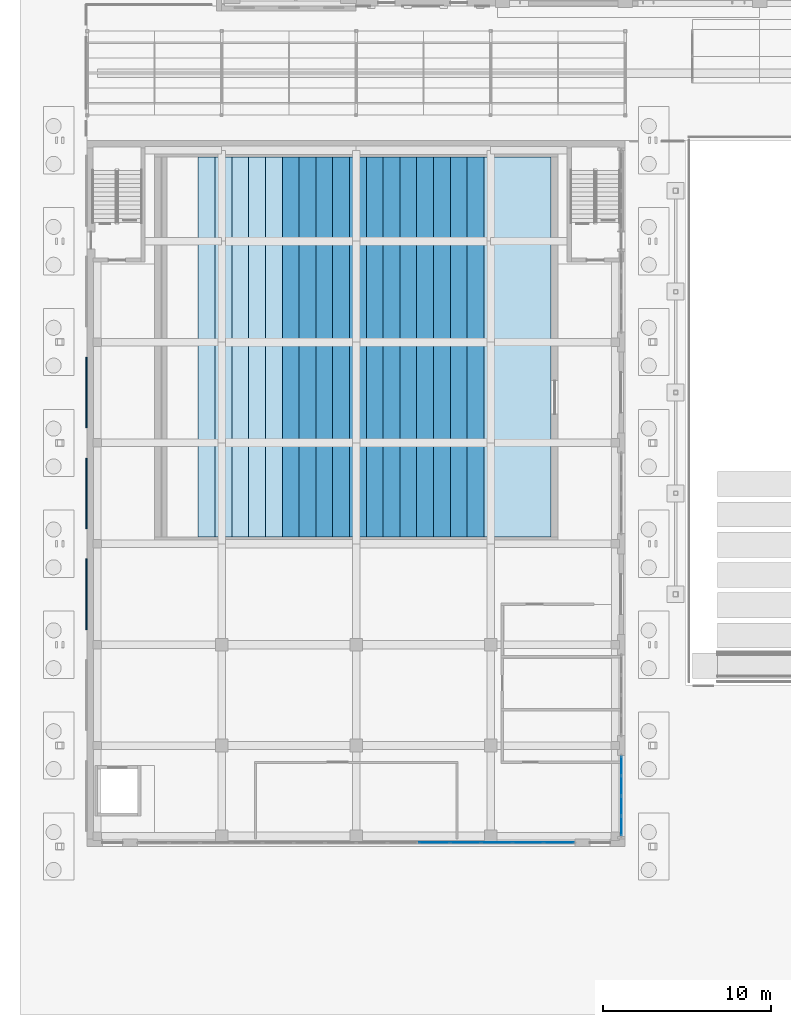
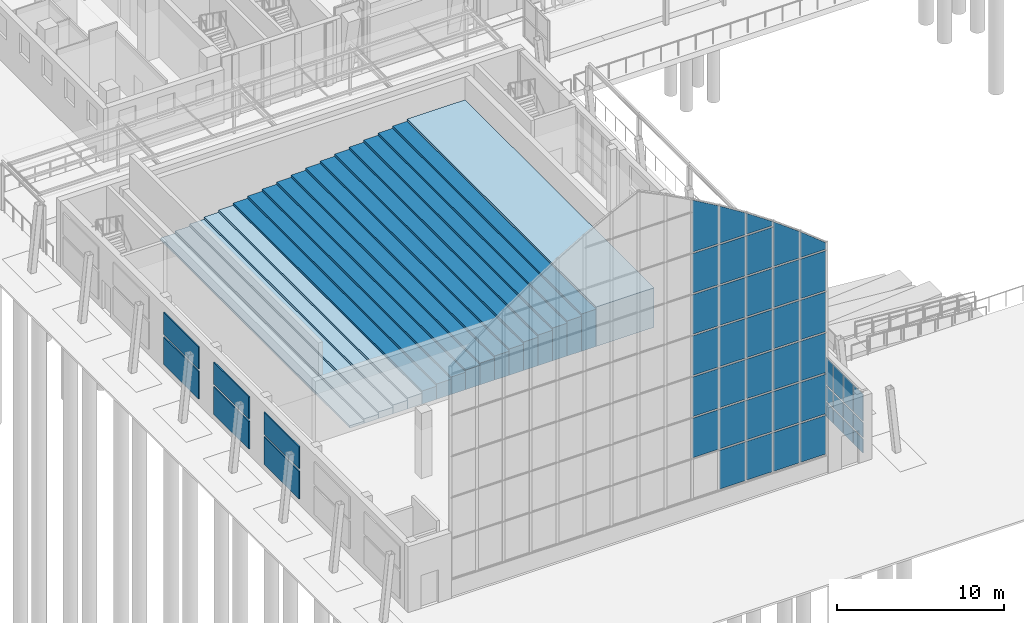
# One storey, part 86 of 144: 50 plates, 18 slabs, 2 elements without a shape of their own.
"""IFC4 building model written with IfcOpenShell, lengths in metres."""

from ifc_helpers import new_model, si_unit, direction, frame, origin, origin_2d, place, context, subcontext, project, spatial, polyline, rectangle, outline, extrude, material, layer, layer_set, type_object, element, aggregate, save


model = new_model("IFC4")

# Units and contexts
model_context = context("Model", 3, precision=1e-05, world=origin(), true_north=direction((0.0, 1.0)))
body_context = subcontext(model_context, "Body", "Model", "MODEL_VIEW")
ifc_project = project(units=[si_unit("LENGTHUNIT", "METRE"), si_unit("AREAUNIT", "SQUARE_METRE"), si_unit("VOLUMEUNIT", "CUBIC_METRE"), si_unit("PLANEANGLEUNIT", "RADIAN"), si_unit("MASSUNIT", "GRAM", prefix="KILO")], contexts=[model_context])

# Site, building, storey
site_placement = place(None, origin())
site = spatial("IfcSite", under=ifc_project, at=site_placement, CompositionType="ELEMENT")
building_placement = place(site_placement, origin())
building = spatial("IfcBuilding", under=site, at=building_placement, Name="Lantern Court Media Centre", CompositionType="ELEMENT")
storey_placement = place(building_placement, origin())
storey = spatial("IfcBuildingStorey", under=building, at=storey_placement, Name="L00", CompositionType="ELEMENT", Elevation=0.0)

# Curtain wall, plates
ifc_material_1 = material(Name="Aluminium and glass", Category="aluminium")
ifc_layer_1 = layer(ifc_material_1, 0.14990234375)
ifc_layer_set_1 = layer_set([ifc_layer_1], Name="Aluminium and glass")
curtain_wall_type = type_object("IfcCurtainWallType", Name="Hall lancet glazing", PredefinedType="NOTDEFINED", material=ifc_layer_set_1)
curtain_wall_1_placement = place(storey_placement, origin())
curtain_wall_1 = element("IfcCurtainWall", 1, at=curtain_wall_1_placement, inside=storey, type_object=curtain_wall_type, Name="Cinema Hall foyer glazing 1", PredefinedType="NOTDEFINED")
ifc_material_2 = material(Name="Laminated glass 6+6", Category="glass")
ifc_layer_2 = layer(ifc_material_2, 0.028076171875)
ifc_layer_set_2 = layer_set([ifc_layer_2], Name="Laminated glass 6+6")
plate_type_1 = type_object("IfcPlateType", Name="HP", PredefinedType="CURTAIN_PANEL", material=ifc_layer_set_2)
plate_1_placement = place(storey_placement, frame((31.77490234375, -0.784912109375, 0.119873046875), z_axis=(0.0, 0.0, 1.0), x_axis=(0.0, 1.0, 0.0)))
plate_1 = element("IfcPlate", 2, at=plate_1_placement, type_object=plate_type_1, Name="HCW-V11 panel 1.1", PredefinedType="CURTAIN_PANEL", context=body_context, shape_type="SweptSolid", body=[
    extrude(rectangle(XDim=1.110107421875, YDim=0.028076171875, at=origin_2d()), origin(), (0.0, 0.0, 1.0), 1.02001953125),
])
plate_2_placement = place(storey_placement, frame((31.77490234375, -0.784912109375, 1.260009765625), z_axis=(0.0, 0.0, 1.0), x_axis=(0.0, 1.0, 0.0)))
plate_2 = element("IfcPlate", 3, at=plate_2_placement, type_object=plate_type_1, Name="HCW-V11 panel 1.2", PredefinedType="CURTAIN_PANEL", context=body_context, shape_type="SweptSolid", body=[
    extrude(rectangle(XDim=1.110107421875, YDim=0.028076171875, at=origin_2d()), origin(), (0.0, 0.0, 1.0), 1.080078125),
])
plate_3_placement = place(storey_placement, frame((31.77490234375, -0.784912109375, 2.4599609375), z_axis=(0.0, 0.0, 1.0), x_axis=(0.0, 1.0, 0.0)))
plate_3 = element("IfcPlate", 4, at=plate_3_placement, type_object=plate_type_1, Name="HCW-V11 panel 1.3", PredefinedType="CURTAIN_PANEL", context=body_context, shape_type="SweptSolid", body=[
    extrude(rectangle(XDim=1.110107421875, YDim=0.028076171875, at=origin_2d()), origin(), (0.0, 0.0, 1.0), 1.969970703125),
])
plate_4_placement = place(storey_placement, frame((31.77490234375, 0.39990234375, 0.119873046875), z_axis=(0.0, 0.0, 1.0), x_axis=(0.0, 1.0, 0.0)))
plate_4 = element("IfcPlate", 5, at=plate_4_placement, type_object=plate_type_1, Name="HCW-V11 panel 2.1", PredefinedType="CURTAIN_PANEL", context=body_context, shape_type="SweptSolid", body=[
    extrude(rectangle(XDim=1.139892578125, YDim=0.028076171875, at=origin_2d()), origin(), (0.0, 0.0, 1.0), 1.02001953125),
])
plate_5_placement = place(storey_placement, frame((31.77490234375, 0.39990234375, 1.260009765625), z_axis=(0.0, 0.0, 1.0), x_axis=(0.0, 1.0, 0.0)))
plate_5 = element("IfcPlate", 6, at=plate_5_placement, type_object=plate_type_1, Name="HCW-V11 panel 2.2", PredefinedType="CURTAIN_PANEL", context=body_context, shape_type="SweptSolid", body=[
    extrude(rectangle(XDim=1.139892578125, YDim=0.028076171875, at=origin_2d()), origin(), (0.0, 0.0, 1.0), 1.080078125),
])
plate_6_placement = place(storey_placement, frame((31.77490234375, 0.39990234375, 2.4599609375), z_axis=(0.0, 0.0, 1.0), x_axis=(0.0, 1.0, 0.0)))
plate_6 = element("IfcPlate", 7, at=plate_6_placement, type_object=plate_type_1, Name="HCW-V11 panel 2.3", PredefinedType="CURTAIN_PANEL", context=body_context, shape_type="SweptSolid", body=[
    extrude(rectangle(XDim=1.139892578125, YDim=0.028076171875, at=origin_2d()), origin(), (0.0, 0.0, 1.0), 1.969970703125),
])
plate_7_placement = place(storey_placement, frame((31.77490234375, 1.60009765625, 0.119873046875), z_axis=(0.0, 0.0, 1.0), x_axis=(0.0, 1.0, 0.0)))
plate_7 = element("IfcPlate", 8, at=plate_7_placement, type_object=plate_type_1, Name="HCW-V11 panel 3.1", PredefinedType="CURTAIN_PANEL", context=body_context, shape_type="SweptSolid", body=[
    extrude(rectangle(XDim=1.139892578125, YDim=0.028076171875, at=origin_2d()), origin(), (0.0, 0.0, 1.0), 1.02001953125),
])
plate_8_placement = place(storey_placement, frame((31.77490234375, 1.60009765625, 1.260009765625), z_axis=(0.0, 0.0, 1.0), x_axis=(0.0, 1.0, 0.0)))
plate_8 = element("IfcPlate", 9, at=plate_8_placement, type_object=plate_type_1, Name="HCW-V11 panel 3.2", PredefinedType="CURTAIN_PANEL", context=body_context, shape_type="SweptSolid", body=[
    extrude(rectangle(XDim=1.139892578125, YDim=0.028076171875, at=origin_2d()), origin(), (0.0, 0.0, 1.0), 1.080078125),
])
plate_9_placement = place(storey_placement, frame((31.77490234375, 1.60009765625, 2.4599609375), z_axis=(0.0, 0.0, 1.0), x_axis=(0.0, 1.0, 0.0)))
plate_9 = element("IfcPlate", 10, at=plate_9_placement, type_object=plate_type_1, Name="HCW-V11 panel 3.3", PredefinedType="CURTAIN_PANEL", context=body_context, shape_type="SweptSolid", body=[
    extrude(rectangle(XDim=1.139892578125, YDim=0.028076171875, at=origin_2d()), origin(), (0.0, 0.0, 1.0), 1.969970703125),
])
plate_10_placement = place(storey_placement, frame((31.77490234375, 2.784912109375, 0.119873046875), z_axis=(0.0, 0.0, 1.0), x_axis=(0.0, 1.0, 0.0)))
plate_10 = element("IfcPlate", 11, at=plate_10_placement, type_object=plate_type_1, Name="HCW-V11 panel 4.1", PredefinedType="CURTAIN_PANEL", context=body_context, shape_type="SweptSolid", body=[
    extrude(rectangle(XDim=1.110107421875, YDim=0.028076171875, at=origin_2d()), origin(), (0.0, 0.0, 1.0), 1.02001953125),
])
plate_11_placement = place(storey_placement, frame((31.77490234375, 2.784912109375, 1.260009765625), z_axis=(0.0, 0.0, 1.0), x_axis=(0.0, 1.0, 0.0)))
plate_11 = element("IfcPlate", 12, at=plate_11_placement, type_object=plate_type_1, Name="HCW-V11 panel 4.2", PredefinedType="CURTAIN_PANEL", context=body_context, shape_type="SweptSolid", body=[
    extrude(rectangle(XDim=1.110107421875, YDim=0.028076171875, at=origin_2d()), origin(), (0.0, 0.0, 1.0), 1.080078125),
])
plate_12_placement = place(storey_placement, frame((31.77490234375, 2.784912109375, 2.4599609375), z_axis=(0.0, 0.0, 1.0), x_axis=(0.0, 1.0, 0.0)))
plate_12 = element("IfcPlate", 13, at=plate_12_placement, type_object=plate_type_1, Name="HCW-V11 panel 4.3", PredefinedType="CURTAIN_PANEL", context=body_context, shape_type="SweptSolid", body=[
    extrude(rectangle(XDim=1.110107421875, YDim=0.028076171875, at=origin_2d()), origin(), (0.0, 0.0, 1.0), 1.969970703125),
])
aggregate(curtain_wall_1, [plate_1, plate_2, plate_3, plate_4, plate_5, plate_6, plate_7, plate_8, plate_9, plate_10, plate_11, plate_12])

curtain_wall_2_placement = place(storey_placement, origin())
curtain_wall_2 = element("IfcCurtainWall", 14, at=curtain_wall_2_placement, inside=storey, type_object=curtain_wall_type, Name="Cinema Hall HCW-V10 glazing", PredefinedType="NOTDEFINED")
plate_13_placement = place(storey_placement, frame((20.642822265625, -1.77490234375, 4.260009765625), z_axis=(0.0, 0.0, 1.0), x_axis=(1.0, 0.0, 0.0)))
plate_13 = element("IfcPlate", 15, at=plate_13_placement, type_object=plate_type_1, Name="HCW-V10 panel 10.2", PredefinedType="CURTAIN_PANEL", context=body_context, shape_type="SweptSolid", body=[
    extrude(rectangle(XDim=1.797119140625, YDim=0.028076171875, at=origin_2d()), origin(), (0.0, 0.0, 1.0), 2.8798828125),
])
plate_14_placement = place(storey_placement, frame((20.642822265625, -1.77490234375, 7.260009765625), z_axis=(0.0, 0.0, 1.0), x_axis=(1.0, 0.0, 0.0)))
plate_14 = element("IfcPlate", 16, at=plate_14_placement, type_object=plate_type_1, Name="HCW-V10 panel 10.3", PredefinedType="CURTAIN_PANEL", context=body_context, shape_type="SweptSolid", body=[
    extrude(rectangle(XDim=1.797119140625, YDim=0.028076171875, at=origin_2d()), origin(), (0.0, 0.0, 1.0), 2.8798828125),
])
plate_15_placement = place(storey_placement, frame((20.642822265625, -1.77490234375, 10.260009765625), z_axis=(0.0, 0.0, 1.0), x_axis=(1.0, 0.0, 0.0)))
plate_15 = element("IfcPlate", 17, at=plate_15_placement, type_object=plate_type_1, Name="HCW-V10 panel 10.4", PredefinedType="CURTAIN_PANEL", context=body_context, shape_type="SweptSolid", body=[
    extrude(rectangle(XDim=1.797119140625, YDim=0.028076171875, at=origin_2d()), origin(), (0.0, 0.0, 1.0), 2.8798828125),
])
plate_16_placement = place(storey_placement, frame((20.642822265625, -1.77490234375, 13.260009765625), z_axis=(0.0, 0.0, 1.0), x_axis=(1.0, 0.0, 0.0)))
plate_16 = element("IfcPlate", 18, at=plate_16_placement, type_object=plate_type_1, Name="HCW-V10 panel 10.5", PredefinedType="CURTAIN_PANEL", context=body_context, shape_type="SweptSolid", body=[
    extrude(rectangle(XDim=1.797119140625, YDim=0.028076171875, at=origin_2d()), origin(), (0.0, 0.0, 1.0), 2.8798828125),
])
plate_17_placement = place(storey_placement, frame((20.642822265625, -1.77490234375, 16.260009765625), z_axis=(0.0, 0.0, 1.0), x_axis=(1.0, 0.0, 0.0)))
plate_17 = element("IfcPlate", 19, at=plate_17_placement, type_object=plate_type_1, Name="HCW-V10 panel 10.6", PredefinedType="CURTAIN_PANEL", context=body_context, shape_type="SweptSolid", body=[
    extrude(rectangle(XDim=1.797119140625, YDim=0.028076171875, at=origin_2d()), origin(), (0.0, 0.0, 1.0), 2.8798828125),
])
plate_18_placement = place(storey_placement, frame((19.744384765625, -1.7890625, 19.260009765625), z_axis=(0.0, -1.0, 0.0), x_axis=(1.0, 0.0, 0.0)))
plate_18 = element("IfcPlate", 20, at=plate_18_placement, type_object=plate_type_1, Name="HCW-V10 head panel", PredefinedType="CURTAIN_PANEL", context=body_context, shape_type="SweptSolid", body=[
    extrude(outline(polyline([(0.0, 0.0), (1.797119140625, 0.0), (1.797119140625, 2.74853515625), (0.0, 3.795166015625), (0.0, 0.0)])), origin(), (0.0, 0.0, -1.0), 0.028076171875),
])
plate_19_placement = place(storey_placement, frame((22.5, -1.77490234375, 1.31982421875), z_axis=(0.0, 0.0, 1.0), x_axis=(1.0, 0.0, 0.0)))
plate_19 = element("IfcPlate", 21, at=plate_19_placement, type_object=plate_type_1, Name="HCW-V10 panel 11.1", PredefinedType="CURTAIN_PANEL", context=body_context, shape_type="SweptSolid", body=[
    extrude(rectangle(XDim=1.797119140625, YDim=0.028076171875, at=origin_2d()), origin(), (0.0, 0.0, 1.0), 2.820068359375),
])
plate_20_placement = place(storey_placement, frame((22.5, -1.77490234375, 4.260009765625), z_axis=(0.0, 0.0, 1.0), x_axis=(1.0, 0.0, 0.0)))
plate_20 = element("IfcPlate", 22, at=plate_20_placement, type_object=plate_type_1, Name="HCW-V10 panel 11.2", PredefinedType="CURTAIN_PANEL", context=body_context, shape_type="SweptSolid", body=[
    extrude(rectangle(XDim=1.797119140625, YDim=0.028076171875, at=origin_2d()), origin(), (0.0, 0.0, 1.0), 2.8798828125),
])
plate_21_placement = place(storey_placement, frame((22.5, -1.77490234375, 7.260009765625), z_axis=(0.0, 0.0, 1.0), x_axis=(1.0, 0.0, 0.0)))
plate_21 = element("IfcPlate", 23, at=plate_21_placement, type_object=plate_type_1, Name="HCW-V10 panel 11.3", PredefinedType="CURTAIN_PANEL", context=body_context, shape_type="SweptSolid", body=[
    extrude(rectangle(XDim=1.797119140625, YDim=0.028076171875, at=origin_2d()), origin(), (0.0, 0.0, 1.0), 2.8798828125),
])
plate_22_placement = place(storey_placement, frame((22.5, -1.77490234375, 10.260009765625), z_axis=(0.0, 0.0, 1.0), x_axis=(1.0, 0.0, 0.0)))
plate_22 = element("IfcPlate", 24, at=plate_22_placement, type_object=plate_type_1, Name="HCW-V10 panel 11.4", PredefinedType="CURTAIN_PANEL", context=body_context, shape_type="SweptSolid", body=[
    extrude(rectangle(XDim=1.797119140625, YDim=0.028076171875, at=origin_2d()), origin(), (0.0, 0.0, 1.0), 2.8798828125),
])
plate_23_placement = place(storey_placement, frame((22.5, -1.77490234375, 13.260009765625), z_axis=(0.0, 0.0, 1.0), x_axis=(1.0, 0.0, 0.0)))
plate_23 = element("IfcPlate", 25, at=plate_23_placement, type_object=plate_type_1, Name="HCW-V10 panel 11.5", PredefinedType="CURTAIN_PANEL", context=body_context, shape_type="SweptSolid", body=[
    extrude(rectangle(XDim=1.797119140625, YDim=0.028076171875, at=origin_2d()), origin(), (0.0, 0.0, 1.0), 2.8798828125),
])
plate_24_placement = place(storey_placement, frame((22.5, -1.77490234375, 16.260009765625), z_axis=(0.0, 0.0, 1.0), x_axis=(1.0, 0.0, 0.0)))
plate_24 = element("IfcPlate", 26, at=plate_24_placement, type_object=plate_type_1, Name="HCW-V10 panel 11.6", PredefinedType="CURTAIN_PANEL", context=body_context, shape_type="SweptSolid", body=[
    extrude(rectangle(XDim=1.797119140625, YDim=0.028076171875, at=origin_2d()), origin(), (0.0, 0.0, 1.0), 2.8798828125),
])
plate_25_placement = place(storey_placement, frame((21.601318359375, -1.7890625, 19.260009765625), z_axis=(0.0, -1.0, 0.0), x_axis=(1.0, 0.0, 0.0)))
plate_25 = element("IfcPlate", 27, at=plate_25_placement, type_object=plate_type_1, Name="HCW-V10 head panel", PredefinedType="CURTAIN_PANEL", context=body_context, shape_type="SweptSolid", body=[
    extrude(outline(polyline([(0.0, 0.0), (1.79736328125, 0.0), (1.79736328125, 1.57666015625), (0.0, 2.712158203125), (0.0, 0.0)])), origin(), (0.0, 0.0, -1.0), 0.028076171875),
])
plate_26_placement = place(storey_placement, frame((24.357177734375, -1.77490234375, 1.31982421875), z_axis=(0.0, 0.0, 1.0), x_axis=(1.0, 0.0, 0.0)))
plate_26 = element("IfcPlate", 28, at=plate_26_placement, type_object=plate_type_1, Name="HCW-V10 panel 12.1", PredefinedType="CURTAIN_PANEL", context=body_context, shape_type="SweptSolid", body=[
    extrude(rectangle(XDim=1.797119140625, YDim=0.028076171875, at=origin_2d()), origin(), (0.0, 0.0, 1.0), 2.820068359375),
])
plate_27_placement = place(storey_placement, frame((24.357177734375, -1.77490234375, 4.260009765625), z_axis=(0.0, 0.0, 1.0), x_axis=(1.0, 0.0, 0.0)))
plate_27 = element("IfcPlate", 29, at=plate_27_placement, type_object=plate_type_1, Name="HCW-V10 panel 12.2", PredefinedType="CURTAIN_PANEL", context=body_context, shape_type="SweptSolid", body=[
    extrude(rectangle(XDim=1.797119140625, YDim=0.028076171875, at=origin_2d()), origin(), (0.0, 0.0, 1.0), 2.8798828125),
])
plate_28_placement = place(storey_placement, frame((24.357177734375, -1.77490234375, 7.260009765625), z_axis=(0.0, 0.0, 1.0), x_axis=(1.0, 0.0, 0.0)))
plate_28 = element("IfcPlate", 30, at=plate_28_placement, type_object=plate_type_1, Name="HCW-V10 panel 12.3", PredefinedType="CURTAIN_PANEL", context=body_context, shape_type="SweptSolid", body=[
    extrude(rectangle(XDim=1.797119140625, YDim=0.028076171875, at=origin_2d()), origin(), (0.0, 0.0, 1.0), 2.8798828125),
])
plate_29_placement = place(storey_placement, frame((24.357177734375, -1.77490234375, 10.260009765625), z_axis=(0.0, 0.0, 1.0), x_axis=(1.0, 0.0, 0.0)))
plate_29 = element("IfcPlate", 31, at=plate_29_placement, type_object=plate_type_1, Name="HCW-V10 panel 12.4", PredefinedType="CURTAIN_PANEL", context=body_context, shape_type="SweptSolid", body=[
    extrude(rectangle(XDim=1.797119140625, YDim=0.028076171875, at=origin_2d()), origin(), (0.0, 0.0, 1.0), 2.8798828125),
])
plate_30_placement = place(storey_placement, frame((24.357177734375, -1.77490234375, 13.260009765625), z_axis=(0.0, 0.0, 1.0), x_axis=(1.0, 0.0, 0.0)))
plate_30 = element("IfcPlate", 32, at=plate_30_placement, type_object=plate_type_1, Name="HCW-V10 panel 12.5", PredefinedType="CURTAIN_PANEL", context=body_context, shape_type="SweptSolid", body=[
    extrude(rectangle(XDim=1.797119140625, YDim=0.028076171875, at=origin_2d()), origin(), (0.0, 0.0, 1.0), 2.8798828125),
])
plate_31_placement = place(storey_placement, frame((24.357177734375, -1.77490234375, 16.260009765625), z_axis=(0.0, 0.0, 1.0), x_axis=(1.0, 0.0, 0.0)))
plate_31 = element("IfcPlate", 33, at=plate_31_placement, type_object=plate_type_1, Name="HCW-V10 panel 12.6", PredefinedType="CURTAIN_PANEL", context=body_context, shape_type="SweptSolid", body=[
    extrude(rectangle(XDim=1.797119140625, YDim=0.028076171875, at=origin_2d()), origin(), (0.0, 0.0, 1.0), 2.8798828125),
])
plate_32_placement = place(storey_placement, frame((23.45849609375, -1.7890625, 19.260009765625), z_axis=(0.0, -1.0, 0.0), x_axis=(1.0, 0.0, 0.0)))
plate_32 = element("IfcPlate", 34, at=plate_32_placement, type_object=plate_type_1, Name="HCW-V10 head panel", PredefinedType="CURTAIN_PANEL", context=body_context, shape_type="SweptSolid", body=[
    extrude(outline(polyline([(0.0, 0.0), (1.797119140625, 0.0), (1.797119140625, 0.306396484375), (0.0, 1.537353515625), (0.0, 0.0)])), origin(), (0.0, 0.0, -1.0), 0.028076171875),
])
plate_33_placement = place(storey_placement, frame((26.21435546875, -1.77490234375, 1.31982421875), z_axis=(0.0, 0.0, 1.0), x_axis=(1.0, 0.0, 0.0)))
plate_33 = element("IfcPlate", 35, at=plate_33_placement, type_object=plate_type_1, Name="HCW-V10 panel 13.1", PredefinedType="CURTAIN_PANEL", context=body_context, shape_type="SweptSolid", body=[
    extrude(rectangle(XDim=1.797119140625, YDim=0.028076171875, at=origin_2d()), origin(), (0.0, 0.0, 1.0), 2.820068359375),
])
plate_34_placement = place(storey_placement, frame((26.21435546875, -1.77490234375, 4.260009765625), z_axis=(0.0, 0.0, 1.0), x_axis=(1.0, 0.0, 0.0)))
plate_34 = element("IfcPlate", 36, at=plate_34_placement, type_object=plate_type_1, Name="HCW-V10 panel 13.2", PredefinedType="CURTAIN_PANEL", context=body_context, shape_type="SweptSolid", body=[
    extrude(rectangle(XDim=1.797119140625, YDim=0.028076171875, at=origin_2d()), origin(), (0.0, 0.0, 1.0), 2.8798828125),
])
plate_35_placement = place(storey_placement, frame((26.21435546875, -1.77490234375, 7.260009765625), z_axis=(0.0, 0.0, 1.0), x_axis=(1.0, 0.0, 0.0)))
plate_35 = element("IfcPlate", 37, at=plate_35_placement, type_object=plate_type_1, Name="HCW-V10 panel 13.3", PredefinedType="CURTAIN_PANEL", context=body_context, shape_type="SweptSolid", body=[
    extrude(rectangle(XDim=1.797119140625, YDim=0.028076171875, at=origin_2d()), origin(), (0.0, 0.0, 1.0), 2.8798828125),
])
plate_36_placement = place(storey_placement, frame((26.21435546875, -1.77490234375, 10.260009765625), z_axis=(0.0, 0.0, 1.0), x_axis=(1.0, 0.0, 0.0)))
plate_36 = element("IfcPlate", 38, at=plate_36_placement, type_object=plate_type_1, Name="HCW-V10 panel 13.4", PredefinedType="CURTAIN_PANEL", context=body_context, shape_type="SweptSolid", body=[
    extrude(rectangle(XDim=1.797119140625, YDim=0.028076171875, at=origin_2d()), origin(), (0.0, 0.0, 1.0), 2.8798828125),
])
plate_37_placement = place(storey_placement, frame((26.21435546875, -1.77490234375, 13.260009765625), z_axis=(0.0, 0.0, 1.0), x_axis=(1.0, 0.0, 0.0)))
plate_37 = element("IfcPlate", 39, at=plate_37_placement, type_object=plate_type_1, Name="HCW-V10 panel 13.5", PredefinedType="CURTAIN_PANEL", context=body_context, shape_type="SweptSolid", body=[
    extrude(rectangle(XDim=1.797119140625, YDim=0.028076171875, at=origin_2d()), origin(), (0.0, 0.0, 1.0), 2.8798828125),
])
plate_38_placement = place(storey_placement, frame((25.315673828125, -1.7890625, 16.260009765625), z_axis=(0.0, -1.0, 0.0), x_axis=(1.0, 0.0, 0.0)))
plate_38 = element("IfcPlate", 40, at=plate_38_placement, type_object=plate_type_1, Name="HCW-V10 head panel", PredefinedType="CURTAIN_PANEL", context=body_context, shape_type="SweptSolid", body=[
    extrude(outline(polyline([(0.0, 0.0), (1.797119140625, 0.0), (1.797119140625, 1.929443359375), (0.0, 3.263427734375), (0.0, 0.0)])), origin(), (0.0, 0.0, -1.0), 0.028076171875),
])
plate_39_placement = place(storey_placement, frame((28.056396484375, -1.77490234375, 1.31982421875), z_axis=(0.0, 0.0, 1.0), x_axis=(1.0, 0.0, 0.0)))
plate_39 = element("IfcPlate", 41, at=plate_39_placement, type_object=plate_type_1, Name="HCW-V10 panel 14.1", PredefinedType="CURTAIN_PANEL", context=body_context, shape_type="SweptSolid", body=[
    extrude(rectangle(XDim=1.76708984375, YDim=0.028076171875, at=origin_2d()), origin(), (0.0, 0.0, 1.0), 2.820068359375),
])
plate_40_placement = place(storey_placement, frame((28.056396484375, -1.77490234375, 4.260009765625), z_axis=(0.0, 0.0, 1.0), x_axis=(1.0, 0.0, 0.0)))
plate_40 = element("IfcPlate", 42, at=plate_40_placement, type_object=plate_type_1, Name="HCW-V10 panel 14.2", PredefinedType="CURTAIN_PANEL", context=body_context, shape_type="SweptSolid", body=[
    extrude(rectangle(XDim=1.76708984375, YDim=0.028076171875, at=origin_2d()), origin(), (0.0, 0.0, 1.0), 2.8798828125),
])
plate_41_placement = place(storey_placement, frame((28.056396484375, -1.77490234375, 7.260009765625), z_axis=(0.0, 0.0, 1.0), x_axis=(1.0, 0.0, 0.0)))
plate_41 = element("IfcPlate", 43, at=plate_41_placement, type_object=plate_type_1, Name="HCW-V10 panel 14.3", PredefinedType="CURTAIN_PANEL", context=body_context, shape_type="SweptSolid", body=[
    extrude(rectangle(XDim=1.76708984375, YDim=0.028076171875, at=origin_2d()), origin(), (0.0, 0.0, 1.0), 2.8798828125),
])
plate_42_placement = place(storey_placement, frame((28.056396484375, -1.77490234375, 10.260009765625), z_axis=(0.0, 0.0, 1.0), x_axis=(1.0, 0.0, 0.0)))
plate_42 = element("IfcPlate", 44, at=plate_42_placement, type_object=plate_type_1, Name="HCW-V10 panel 14.4", PredefinedType="CURTAIN_PANEL", context=body_context, shape_type="SweptSolid", body=[
    extrude(rectangle(XDim=1.76708984375, YDim=0.028076171875, at=origin_2d()), origin(), (0.0, 0.0, 1.0), 2.8798828125),
])
plate_43_placement = place(storey_placement, frame((28.056396484375, -1.77490234375, 13.260009765625), z_axis=(0.0, 0.0, 1.0), x_axis=(1.0, 0.0, 0.0)))
plate_43 = element("IfcPlate", 45, at=plate_43_placement, type_object=plate_type_1, Name="HCW-V10 panel 14.5", PredefinedType="CURTAIN_PANEL", context=body_context, shape_type="SweptSolid", body=[
    extrude(rectangle(XDim=1.76708984375, YDim=0.028076171875, at=origin_2d()), origin(), (0.0, 0.0, 1.0), 2.8798828125),
])
plate_44_placement = place(storey_placement, frame((27.1728515625, -1.7890625, 16.260009765625), z_axis=(0.0, -1.0, 0.0), x_axis=(1.0, 0.0, 0.0)))
plate_44 = element("IfcPlate", 46, at=plate_44_placement, type_object=plate_type_1, Name="HCW-V10 head panel", PredefinedType="CURTAIN_PANEL", context=body_context, shape_type="SweptSolid", body=[
    extrude(outline(polyline([(0.0, 0.0), (1.76708984375, 0.0), (1.76708984375, 0.46142578125), (0.0, 1.883056640625), (0.0, 0.0)])), origin(), (0.0, 0.0, -1.0), 0.028076171875),
])
aggregate(curtain_wall_2, [plate_13, plate_14, plate_15, plate_16, plate_17, plate_18, plate_19, plate_20, plate_21, plate_22, plate_23, plate_24, plate_25, plate_26, plate_27, plate_28, plate_29, plate_30, plate_31, plate_32, plate_33, plate_34, plate_35, plate_36, plate_37, plate_38, plate_39, plate_40, plate_41, plate_42, plate_43, plate_44])

# Slabs
ifc_material_3 = material(Name="Concrete C35", Category="concrete")
ifc_layer_3 = layer(ifc_material_3, 0.14990234375)
ifc_layer_set_3 = layer_set([ifc_layer_3], Name="Concrete C35")
slab_type = type_object("IfcSlabType", Name="Seating tier", PredefinedType="USERDEFINED", material=ifc_layer_set_3)
slab_1_placement = place(storey_placement, origin())
element("IfcSlab", 47, at=slab_1_placement, inside=storey, type_object=slab_type, Name="Screen 1 Cinema tier 1", ObjectType="SEATING TIER", PredefinedType="USERDEFINED", context=body_context, shape_type="SweptSolid", body=[
    extrude(outline(polyline([(6.60009765625, 16.39990234375), (7.60009765625, 16.39990234375), (7.60009765625, 39.0), (6.60009765625, 39.0), (6.60009765625, 16.39990234375)])), origin(), (0.0, 0.0, 1.0), 0.159912109375),
])
slab_2_placement = place(storey_placement, origin())
element("IfcSlab", 48, at=slab_2_placement, inside=storey, type_object=slab_type, Name="Screen 1 Cinema tier 2", ObjectType="SEATING TIER", PredefinedType="USERDEFINED", context=body_context, shape_type="SweptSolid", body=[
    extrude(outline(polyline([(7.60009765625, 16.39990234375), (8.60009765625, 16.39990234375), (8.60009765625, 39.0), (7.60009765625, 39.0), (7.60009765625, 16.39990234375)])), origin(), (0.0, 0.0, 1.0), 0.320068359375),
])
slab_3_placement = place(storey_placement, origin())
element("IfcSlab", 49, at=slab_3_placement, inside=storey, type_object=slab_type, Name="Screen 1 Cinema tier 3", ObjectType="SEATING TIER", PredefinedType="USERDEFINED", context=body_context, shape_type="SweptSolid", body=[
    extrude(outline(polyline([(8.60009765625, 16.39990234375), (9.60009765625, 16.39990234375), (9.60009765625, 39.0), (8.60009765625, 39.0), (8.60009765625, 16.39990234375)])), origin(), (0.0, 0.0, 1.0), 0.47998046875),
])
slab_4_placement = place(storey_placement, origin())
element("IfcSlab", 50, at=slab_4_placement, inside=storey, type_object=slab_type, Name="Screen 1 Cinema tier 4", ObjectType="SEATING TIER", PredefinedType="USERDEFINED", context=body_context, shape_type="SweptSolid", body=[
    extrude(outline(polyline([(9.60009765625, 16.39990234375), (10.60009765625, 16.39990234375), (10.60009765625, 39.0), (9.60009765625, 39.0), (9.60009765625, 16.39990234375)])), origin(), (0.0, 0.0, 1.0), 0.639892578125),
])
slab_5_placement = place(storey_placement, origin())
element("IfcSlab", 51, at=slab_5_placement, inside=storey, type_object=slab_type, Name="Screen 1 Cinema tier 5", ObjectType="SEATING TIER", PredefinedType="USERDEFINED", context=body_context, shape_type="SweptSolid", body=[
    extrude(outline(polyline([(10.60009765625, 16.39990234375), (11.60009765625, 16.39990234375), (11.60009765625, 39.0), (10.60009765625, 39.0), (10.60009765625, 16.39990234375)])), origin(), (0.0, 0.0, 1.0), 0.800048828125),
])
slab_6_placement = place(storey_placement, origin())
element("IfcSlab", 52, at=slab_6_placement, inside=storey, type_object=slab_type, Name="Screen 1 Cinema tier 6", ObjectType="SEATING TIER", PredefinedType="USERDEFINED", context=body_context, shape_type="SweptSolid", body=[
    extrude(outline(polyline([(11.60009765625, 16.39990234375), (12.60009765625, 16.39990234375), (12.60009765625, 39.0), (11.60009765625, 39.0), (11.60009765625, 16.39990234375)])), origin(), (0.0, 0.0, 1.0), 0.9599609375),
])
slab_7_placement = place(storey_placement, origin())
element("IfcSlab", 53, at=slab_7_placement, inside=storey, type_object=slab_type, Name="Screen 1 Cinema tier 7", ObjectType="SEATING TIER", PredefinedType="USERDEFINED", context=body_context, shape_type="SweptSolid", body=[
    extrude(outline(polyline([(12.60009765625, 16.39990234375), (13.60009765625, 16.39990234375), (13.60009765625, 39.0), (12.60009765625, 39.0), (12.60009765625, 16.39990234375)])), origin(), (0.0, 0.0, 1.0), 1.1201171875),
])
slab_8_placement = place(storey_placement, origin())
element("IfcSlab", 54, at=slab_8_placement, inside=storey, type_object=slab_type, Name="Screen 1 Cinema tier 8", ObjectType="SEATING TIER", PredefinedType="USERDEFINED", context=body_context, shape_type="SweptSolid", body=[
    extrude(outline(polyline([(13.60009765625, 16.39990234375), (14.60009765625, 16.39990234375), (14.60009765625, 39.0), (13.60009765625, 39.0), (13.60009765625, 16.39990234375)])), origin(), (0.0, 0.0, 1.0), 1.280029296875),
])
slab_9_placement = place(storey_placement, origin())
element("IfcSlab", 55, at=slab_9_placement, inside=storey, type_object=slab_type, Name="Screen 1 Cinema tier 9", ObjectType="SEATING TIER", PredefinedType="USERDEFINED", context=body_context, shape_type="SweptSolid", body=[
    extrude(outline(polyline([(14.60009765625, 16.39990234375), (15.60009765625, 16.39990234375), (15.60009765625, 39.0), (14.60009765625, 39.0), (14.60009765625, 16.39990234375)])), origin(), (0.0, 0.0, 1.0), 1.43994140625),
])
slab_10_placement = place(storey_placement, origin())
element("IfcSlab", 56, at=slab_10_placement, inside=storey, type_object=slab_type, Name="Screen 1 Cinema tier 10", ObjectType="SEATING TIER", PredefinedType="USERDEFINED", context=body_context, shape_type="SweptSolid", body=[
    extrude(outline(polyline([(15.60009765625, 16.39990234375), (16.60009765625, 16.39990234375), (16.60009765625, 39.0), (15.60009765625, 39.0), (15.60009765625, 16.39990234375)])), origin(), (0.0, 0.0, 1.0), 1.60009765625),
])
slab_11_placement = place(storey_placement, origin())
element("IfcSlab", 57, at=slab_11_placement, inside=storey, type_object=slab_type, Name="Screen 1 Cinema tier 11", ObjectType="SEATING TIER", PredefinedType="USERDEFINED", context=body_context, shape_type="SweptSolid", body=[
    extrude(outline(polyline([(16.60009765625, 16.39990234375), (17.60009765625, 16.39990234375), (17.60009765625, 39.0), (16.60009765625, 39.0), (16.60009765625, 16.39990234375)])), origin(), (0.0, 0.0, 1.0), 1.760009765625),
])
slab_12_placement = place(storey_placement, origin())
element("IfcSlab", 58, at=slab_12_placement, inside=storey, type_object=slab_type, Name="Screen 1 Cinema tier 12", ObjectType="SEATING TIER", PredefinedType="USERDEFINED", context=body_context, shape_type="SweptSolid", body=[
    extrude(outline(polyline([(17.60009765625, 16.39990234375), (18.60009765625, 16.39990234375), (18.60009765625, 39.0), (17.60009765625, 39.0), (17.60009765625, 16.39990234375)])), origin(), (0.0, 0.0, 1.0), 1.919921875),
])
slab_13_placement = place(storey_placement, origin())
element("IfcSlab", 59, at=slab_13_placement, inside=storey, type_object=slab_type, Name="Screen 1 Cinema tier 13", ObjectType="SEATING TIER", PredefinedType="USERDEFINED", context=body_context, shape_type="SweptSolid", body=[
    extrude(outline(polyline([(18.60009765625, 16.39990234375), (19.60009765625, 16.39990234375), (19.60009765625, 39.0), (18.60009765625, 39.0), (18.60009765625, 16.39990234375)])), origin(), (0.0, 0.0, 1.0), 2.080078125),
])
slab_14_placement = place(storey_placement, origin())
element("IfcSlab", 60, at=slab_14_placement, inside=storey, type_object=slab_type, Name="Screen 1 Cinema tier 14", ObjectType="SEATING TIER", PredefinedType="USERDEFINED", context=body_context, shape_type="SweptSolid", body=[
    extrude(outline(polyline([(19.60009765625, 16.39990234375), (20.60009765625, 16.39990234375), (20.60009765625, 39.0), (19.60009765625, 39.0), (19.60009765625, 16.39990234375)])), origin(), (0.0, 0.0, 1.0), 2.239990234375),
])
slab_15_placement = place(storey_placement, origin())
element("IfcSlab", 61, at=slab_15_placement, inside=storey, type_object=slab_type, Name="Screen 1 Cinema tier 15", ObjectType="SEATING TIER", PredefinedType="USERDEFINED", context=body_context, shape_type="SweptSolid", body=[
    extrude(outline(polyline([(20.60009765625, 16.39990234375), (21.60009765625, 16.39990234375), (21.60009765625, 39.0), (20.60009765625, 39.0), (20.60009765625, 16.39990234375)])), origin(), (0.0, 0.0, 1.0), 2.39990234375),
])
slab_16_placement = place(storey_placement, origin())
element("IfcSlab", 62, at=slab_16_placement, inside=storey, type_object=slab_type, Name="Screen 1 Cinema tier 16", ObjectType="SEATING TIER", PredefinedType="USERDEFINED", context=body_context, shape_type="SweptSolid", body=[
    extrude(outline(polyline([(21.60009765625, 16.39990234375), (22.60009765625, 16.39990234375), (22.60009765625, 39.0), (21.60009765625, 39.0), (21.60009765625, 16.39990234375)])), origin(), (0.0, 0.0, 1.0), 2.56005859375),
])
slab_17_placement = place(storey_placement, origin())
element("IfcSlab", 63, at=slab_17_placement, inside=storey, type_object=slab_type, Name="Screen 1 Cinema tier 17", ObjectType="SEATING TIER", PredefinedType="USERDEFINED", context=body_context, shape_type="SweptSolid", body=[
    extrude(outline(polyline([(22.60009765625, 16.39990234375), (23.60009765625, 16.39990234375), (23.60009765625, 39.0), (22.60009765625, 39.0), (22.60009765625, 16.39990234375)])), origin(), (0.0, 0.0, 1.0), 2.719970703125),
])
slab_18_placement = place(storey_placement, origin())
element("IfcSlab", 64, at=slab_18_placement, inside=storey, type_object=slab_type, Name="Screen 1 Cinema tier 18", ObjectType="SEATING TIER", PredefinedType="USERDEFINED", context=body_context, shape_type="SweptSolid", body=[
    extrude(outline(polyline([(23.60009765625, 16.39990234375), (27.60009765625, 16.39990234375), (27.60009765625, 39.0), (23.60009765625, 39.0), (23.60009765625, 16.39990234375)])), origin(), (0.0, 0.0, 1.0), 2.8798828125),
])

# Plates
ifc_material_4 = material(Name="Limestone cladding", Category="masonry")
ifc_layer_4 = layer(ifc_material_4, 0.080078125)
ifc_layer_set_4 = layer_set([ifc_layer_4], Name="Limestone cladding")
plate_type_2 = type_object("IfcPlateType", Name="Stone relief panel", PredefinedType="SHEET", material=ifc_layer_set_4)
plate_45_placement = place(storey_placement, frame((-0.0400390625, 13.0, 0.5), z_axis=(0.0, 0.0, 1.0), x_axis=(1.0, 0.0, 0.0)))
element("IfcPlate", 65, at=plate_45_placement, inside=storey, type_object=plate_type_2, Name="Cinema Hall street face relief panel", PredefinedType="SHEET", context=body_context, shape_type="SweptSolid", body=[
    extrude(rectangle(XDim=0.080078125, YDim=4.199951171875, at=origin_2d()), origin(), (0.0, 0.0, 1.0), 2.0),
])
plate_46_placement = place(storey_placement, frame((-0.0400390625, 13.0, 2.699951171875), z_axis=(0.0, 0.0, 1.0), x_axis=(1.0, 0.0, 0.0)))
element("IfcPlate", 66, at=plate_46_placement, inside=storey, type_object=plate_type_2, Name="Cinema Hall street face relief panel", PredefinedType="SHEET", context=body_context, shape_type="SweptSolid", body=[
    extrude(rectangle(XDim=0.080078125, YDim=4.199951171875, at=origin_2d()), origin(), (0.0, 0.0, 1.0), 1.60009765625),
])
plate_47_placement = place(storey_placement, frame((-0.0400390625, 19.0, 0.5), z_axis=(0.0, 0.0, 1.0), x_axis=(1.0, 0.0, 0.0)))
element("IfcPlate", 67, at=plate_47_placement, inside=storey, type_object=plate_type_2, Name="Cinema Hall street face relief panel", PredefinedType="SHEET", context=body_context, shape_type="SweptSolid", body=[
    extrude(rectangle(XDim=0.080078125, YDim=4.199951171875, at=origin_2d()), origin(), (0.0, 0.0, 1.0), 2.0),
])
plate_48_placement = place(storey_placement, frame((-0.0400390625, 19.0, 2.699951171875), z_axis=(0.0, 0.0, 1.0), x_axis=(1.0, 0.0, 0.0)))
element("IfcPlate", 68, at=plate_48_placement, inside=storey, type_object=plate_type_2, Name="Cinema Hall street face relief panel", PredefinedType="SHEET", context=body_context, shape_type="SweptSolid", body=[
    extrude(rectangle(XDim=0.080078125, YDim=4.199951171875, at=origin_2d()), origin(), (0.0, 0.0, 1.0), 1.60009765625),
])
plate_49_placement = place(storey_placement, frame((-0.0400390625, 25.0, 0.5), z_axis=(0.0, 0.0, 1.0), x_axis=(1.0, 0.0, 0.0)))
element("IfcPlate", 69, at=plate_49_placement, inside=storey, type_object=plate_type_2, Name="Cinema Hall street face relief panel", PredefinedType="SHEET", context=body_context, shape_type="SweptSolid", body=[
    extrude(rectangle(XDim=0.080078125, YDim=4.199951171875, at=origin_2d()), origin(), (0.0, 0.0, 1.0), 2.0),
])
plate_50_placement = place(storey_placement, frame((-0.0400390625, 25.0, 2.699951171875), z_axis=(0.0, 0.0, 1.0), x_axis=(1.0, 0.0, 0.0)))
element("IfcPlate", 70, at=plate_50_placement, inside=storey, type_object=plate_type_2, Name="Cinema Hall street face relief panel", PredefinedType="SHEET", context=body_context, shape_type="SweptSolid", body=[
    extrude(rectangle(XDim=0.080078125, YDim=4.199951171875, at=origin_2d()), origin(), (0.0, 0.0, 1.0), 1.60009765625),
])

save(model, "model.ifc")
